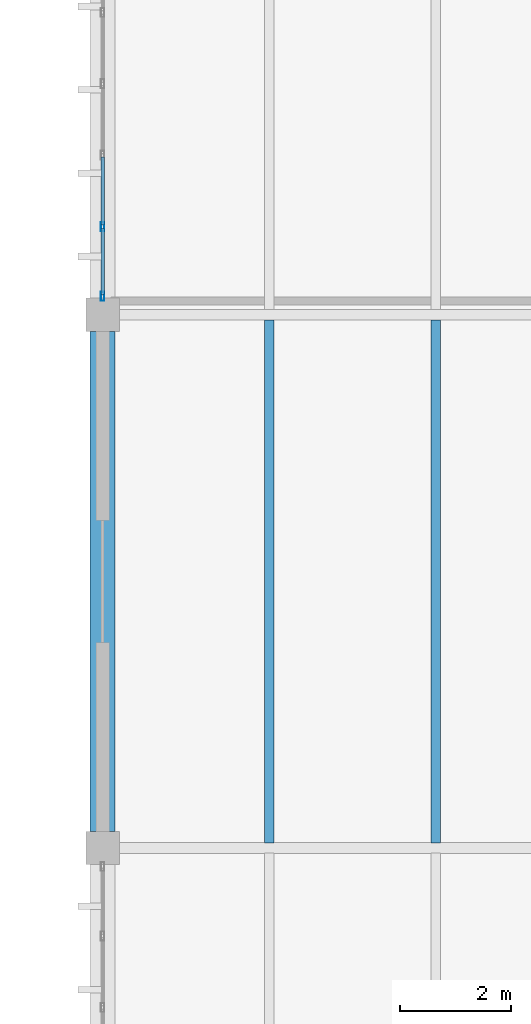
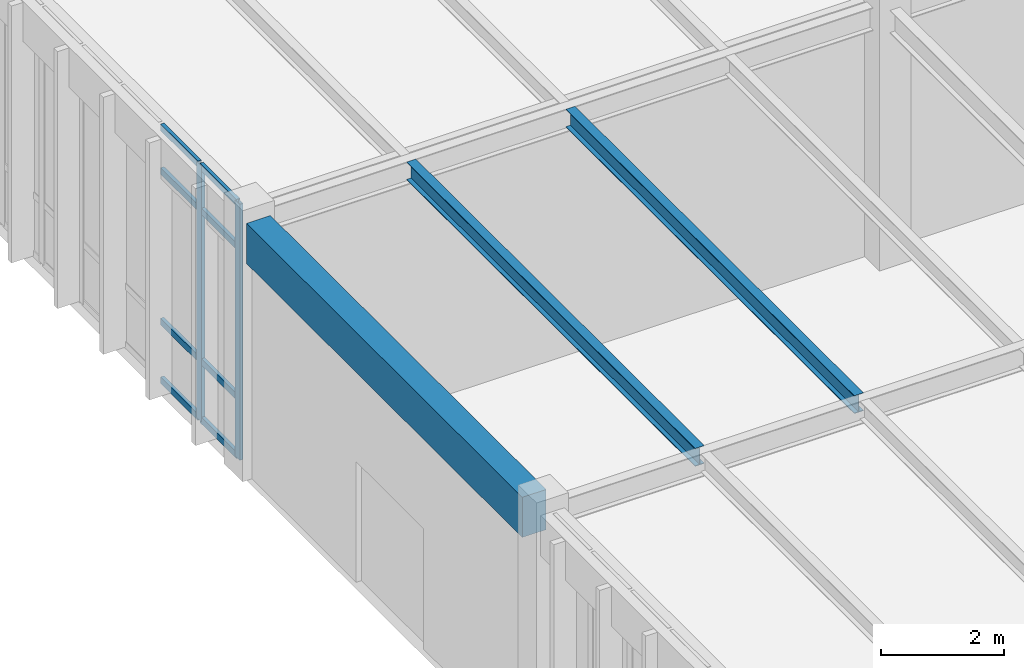
# One storey, part 112 of 188: 10 members, 3 beams, 1 element without a shape of its own.
"""IFC4 building model written with IfcOpenShell, lengths in metres."""

from ifc_helpers import new_model, si_unit, direction, frame, origin, origin_2d, place, context, subcontext, project, spatial, rectangle, hollow_rectangle, i_section, extrude, material, layer, layer_set, material_profile, profile_set, type_object, element, aggregate, save


model = new_model("IFC4")

# Units and contexts
model_context = context("Model", 3, precision=1e-05, world=origin(), true_north=direction((0.0, 1.0)))
body_context = subcontext(model_context, "Body", "Model", "MODEL_VIEW")
ifc_project = project(units=[si_unit("LENGTHUNIT", "METRE"), si_unit("AREAUNIT", "SQUARE_METRE"), si_unit("VOLUMEUNIT", "CUBIC_METRE"), si_unit("PLANEANGLEUNIT", "RADIAN"), si_unit("MASSUNIT", "GRAM", prefix="KILO")], contexts=[model_context])

# Site, building, storey
site_placement = place(None, origin())
site = spatial("IfcSite", under=ifc_project, at=site_placement, CompositionType="ELEMENT")
building_placement = place(site_placement, origin())
building = spatial("IfcBuilding", under=site, at=building_placement, Name="Pandanus Reach Market Hall", CompositionType="ELEMENT")
storey_placement = place(building_placement, origin())
storey = spatial("IfcBuildingStorey", under=building, at=storey_placement, Name="L00", CompositionType="ELEMENT", Elevation=0.0)

# Beam
ifc_material_1 = material(Name="Concrete N40 (40 MPa)", Category="concrete")
ifc_material_profile_1 = material_profile(ifc_material_1, rectangle(XDim=0.449951171875, YDim=0.800048828125, at=origin_2d()), Name="RC450x800", Category="LoadBearing")
ifc_profile_set_1 = profile_set([ifc_material_profile_1], Name="Concrete N40 (40 MPa)")
beam_type_1 = type_object("IfcBeamType", Name="BM-RC450-E", PredefinedType="SPANDREL", material=ifc_profile_set_1)
beam_placement = place(storey_placement, frame((144.0, 67.498046875, 4.72509765625), z_axis=(0.0, 1.0, 0.0), x_axis=(-1.0, 0.0, 0.0)))
element("IfcBeam", 1, at=beam_placement, inside=storey, type_object=beam_type_1, Name="Framing beam BM-RC450-E L00.195", PredefinedType="SPANDREL", context=body_context, shape_type="SweptSolid", body=[
    extrude(rectangle(XDim=0.449951171875, YDim=0.800048828125, at=origin_2d()), origin(), (0.0, 0.0, 1.0), 9.00390625),
])

# Curtain wall, members
ifc_material_2 = material(Name="Bronze anodised aluminium and low-E glass", Category="aluminium")
ifc_layer = layer(ifc_material_2, 0.159912109375, Name="CW-26")
ifc_layer_set = layer_set([ifc_layer], Name="Bronze anodised aluminium and low-E glass")
curtain_wall_type = type_object("IfcCurtainWallType", Name="CW-26", PredefinedType="NOTDEFINED", material=ifc_layer_set)
curtain_wall_placement = place(storey_placement, origin())
curtain_wall = element("IfcCurtainWall", 2, at=curtain_wall_placement, inside=storey, type_object=curtain_wall_type, Name="Glazed curtain wall CW-26 CW-0080", PredefinedType="NOTDEFINED")
ifc_material_3 = material(Name="Bronze anodised aluminium", Category="aluminium")
ifc_material_profile_2 = material_profile(ifc_material_3, hollow_rectangle(XDim=0.06494140625, YDim=0.159912109375, WallThickness=0.00390625, at=origin_2d()), Name="ALU65x160", Category="LoadBearing")
ifc_profile_set_2 = profile_set([ifc_material_profile_2], Name="Bronze anodised aluminium")
member_type_1 = type_object("IfcMemberType", Name="CW-M1", PredefinedType="MULLION", material=ifc_profile_set_2)
member_1_placement = place(storey_placement, frame((144.0, 77.132568359375, 0.0), z_axis=(0.0, 0.0, 1.0), x_axis=(-1.0, 0.0, 0.0)))
member_1 = element("IfcMember", 3, at=member_1_placement, type_object=member_type_1, Name="CW-26 mullion 1", PredefinedType="MULLION", context=body_context, shape_type="SweptSolid", body=[
    extrude(hollow_rectangle(XDim=0.06494140625, YDim=0.159912109375, WallThickness=0.00390625, at=origin_2d()), origin(), (0.0, 0.0, 1.0), 5.10009765625),
])
member_2_placement = place(storey_placement, frame((144.0, 78.3857421875, 0.0), z_axis=(0.0, 0.0, 1.0), x_axis=(-1.0, 0.0, 0.0)))
member_2 = element("IfcMember", 4, at=member_2_placement, type_object=member_type_1, Name="CW-26 mullion 2", PredefinedType="MULLION", context=body_context, shape_type="SweptSolid", body=[
    extrude(hollow_rectangle(XDim=0.06494140625, YDim=0.159912109375, WallThickness=0.00390625, at=origin_2d()), origin(), (0.0, 0.0, 1.0), 5.10009765625),
])
ifc_material_profile_3 = material_profile(ifc_material_3, hollow_rectangle(XDim=0.06494140625, YDim=0.1298828125, WallThickness=0.00390625, at=origin_2d()), Name="ALU65x130", Category="LoadBearing")
ifc_profile_set_3 = profile_set([ifc_material_profile_3], Name="Bronze anodised aluminium")
member_type_2 = type_object("IfcMemberType", Name="CW-T1", PredefinedType="USERDEFINED", material=ifc_profile_set_3)
member_3_placement = place(storey_placement, frame((144.0, 77.1650390625, 0.032470703125), z_axis=(0.0, 1.0, 0.0), x_axis=(-1.0, 0.0, 0.0)))
member_3 = element("IfcMember", 5, at=member_3_placement, type_object=member_type_2, Name="CW-26 transom 1.1", ObjectType="TRANSOM", PredefinedType="USERDEFINED", context=body_context, shape_type="SweptSolid", body=[
    extrude(hollow_rectangle(XDim=0.06494140625, YDim=0.1298828125, WallThickness=0.00390625, at=origin_2d()), origin(), (0.0, 0.0, 1.0), 1.188232421875),
])
member_4_placement = place(storey_placement, frame((144.0, 77.1650390625, 1.199951171875), z_axis=(0.0, 1.0, 0.0), x_axis=(-1.0, 0.0, 0.0)))
member_4 = element("IfcMember", 6, at=member_4_placement, type_object=member_type_2, Name="CW-26 transom 1.2", ObjectType="TRANSOM", PredefinedType="USERDEFINED", context=body_context, shape_type="SweptSolid", body=[
    extrude(hollow_rectangle(XDim=0.06494140625, YDim=0.1298828125, WallThickness=0.00390625, at=origin_2d()), origin(), (0.0, 0.0, 1.0), 1.188232421875),
])
member_5_placement = place(storey_placement, frame((144.0, 77.1650390625, 4.199951171875), z_axis=(0.0, 1.0, 0.0), x_axis=(-1.0, 0.0, 0.0)))
member_5 = element("IfcMember", 7, at=member_5_placement, type_object=member_type_2, Name="CW-26 transom 1.3", ObjectType="TRANSOM", PredefinedType="USERDEFINED", context=body_context, shape_type="SweptSolid", body=[
    extrude(hollow_rectangle(XDim=0.06494140625, YDim=0.1298828125, WallThickness=0.00390625, at=origin_2d()), origin(), (0.0, 0.0, 1.0), 1.188232421875),
])
member_6_placement = place(storey_placement, frame((144.0, 77.1650390625, 5.0673828125), z_axis=(0.0, 1.0, 0.0), x_axis=(-1.0, 0.0, 0.0)))
member_6 = element("IfcMember", 8, at=member_6_placement, type_object=member_type_2, Name="CW-26 transom 1.4", ObjectType="TRANSOM", PredefinedType="USERDEFINED", context=body_context, shape_type="SweptSolid", body=[
    extrude(hollow_rectangle(XDim=0.06494140625, YDim=0.1298828125, WallThickness=0.00390625, at=origin_2d()), origin(), (0.0, 0.0, 1.0), 1.188232421875),
])
member_7_placement = place(storey_placement, frame((144.0, 78.418212890625, 0.032470703125), z_axis=(0.0, 1.0, 0.0), x_axis=(-1.0, 0.0, 0.0)))
member_7 = element("IfcMember", 9, at=member_7_placement, type_object=member_type_2, Name="CW-26 transom 2.1", ObjectType="TRANSOM", PredefinedType="USERDEFINED", context=body_context, shape_type="SweptSolid", body=[
    extrude(hollow_rectangle(XDim=0.06494140625, YDim=0.1298828125, WallThickness=0.00390625, at=origin_2d()), origin(), (0.0, 0.0, 1.0), 1.220703125),
])
member_8_placement = place(storey_placement, frame((144.0, 78.418212890625, 1.199951171875), z_axis=(0.0, 1.0, 0.0), x_axis=(-1.0, 0.0, 0.0)))
member_8 = element("IfcMember", 10, at=member_8_placement, type_object=member_type_2, Name="CW-26 transom 2.2", ObjectType="TRANSOM", PredefinedType="USERDEFINED", context=body_context, shape_type="SweptSolid", body=[
    extrude(hollow_rectangle(XDim=0.06494140625, YDim=0.1298828125, WallThickness=0.00390625, at=origin_2d()), origin(), (0.0, 0.0, 1.0), 1.220703125),
])
member_9_placement = place(storey_placement, frame((144.0, 78.418212890625, 4.199951171875), z_axis=(0.0, 1.0, 0.0), x_axis=(-1.0, 0.0, 0.0)))
member_9 = element("IfcMember", 11, at=member_9_placement, type_object=member_type_2, Name="CW-26 transom 2.3", ObjectType="TRANSOM", PredefinedType="USERDEFINED", context=body_context, shape_type="SweptSolid", body=[
    extrude(hollow_rectangle(XDim=0.06494140625, YDim=0.1298828125, WallThickness=0.00390625, at=origin_2d()), origin(), (0.0, 0.0, 1.0), 1.220703125),
])
member_10_placement = place(storey_placement, frame((144.0, 78.418212890625, 5.0673828125), z_axis=(0.0, 1.0, 0.0), x_axis=(-1.0, 0.0, 0.0)))
member_10 = element("IfcMember", 12, at=member_10_placement, type_object=member_type_2, Name="CW-26 transom 2.4", ObjectType="TRANSOM", PredefinedType="USERDEFINED", context=body_context, shape_type="SweptSolid", body=[
    extrude(hollow_rectangle(XDim=0.06494140625, YDim=0.1298828125, WallThickness=0.00390625, at=origin_2d()), origin(), (0.0, 0.0, 1.0), 1.220703125),
])
aggregate(curtain_wall, [member_1, member_2, member_3, member_4, member_5, member_6, member_7, member_8, member_9, member_10])

# Beams
ifc_material_4 = material(Name="Steel Grade 350 (350 MPa)", Category="steel")
ifc_material_profile_4 = material_profile(ifc_material_4, i_section(OverallWidth=0.172119140625, OverallDepth=0.35888671875, WebThickness=0.008056640625, FlangeThickness=0.012939453125, at=origin_2d()), Name="360UB56.7", Category="LoadBearing")
ifc_profile_set_4 = profile_set([ifc_material_profile_4], Name="Steel Grade 350 (350 MPa)")
beam_type_2 = type_object("IfcBeamType", Name="JS-UB360H-I", PredefinedType="JOIST", material=ifc_profile_set_4)
for number, where, z_axis, x_axis, name in (
    (13, (147.0, 67.29345703125, 4.945068359375), (0.0, 1.0, 0.0), (-1.0, 0.0, 0.0), "Secondary joist JS-UB360H-I L00.246"),
    (14, (150.0, 67.29345703125, 4.945068359375), (0.0, 1.0, 0.0), (-1.0, 0.0, 0.0), "Secondary joist JS-UB360H-I L00.247"),
):
    element("IfcBeam", number, at=place(storey_placement, frame(where, z_axis=z_axis, x_axis=x_axis)), inside=storey, type_object=beam_type_2, Name=name, PredefinedType="JOIST", context=body_context, shape_type="SweptSolid", body=[
        extrude(i_section(OverallWidth=0.172119140625, OverallDepth=0.35888671875, WebThickness=0.008056640625, FlangeThickness=0.012939453125, at=origin_2d()), origin(), (0.0, 0.0, 1.0), 9.4130859375),
    ])

save(model, "model.ifc")
